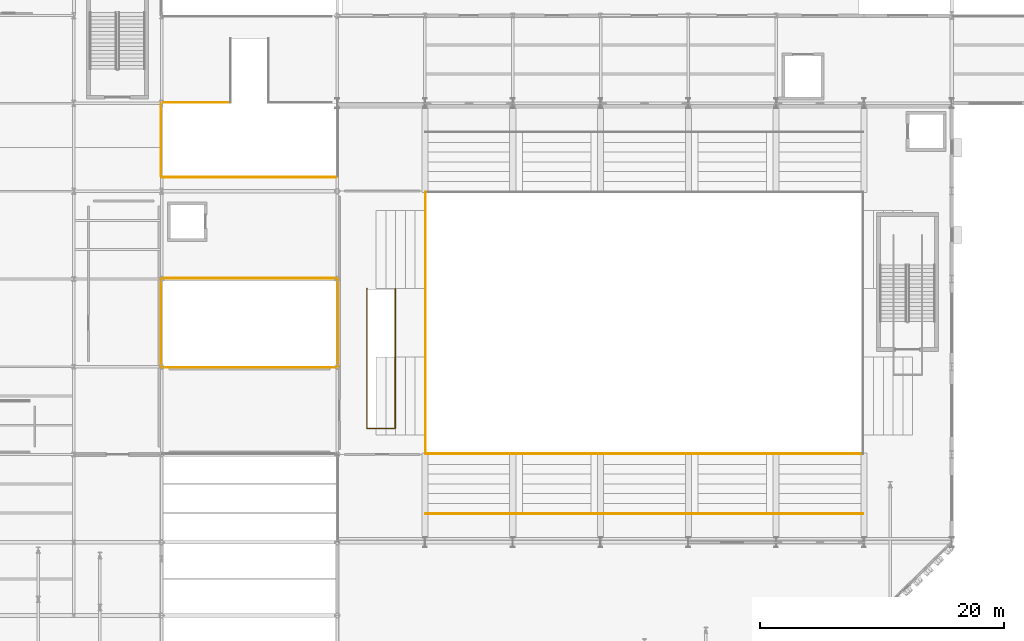
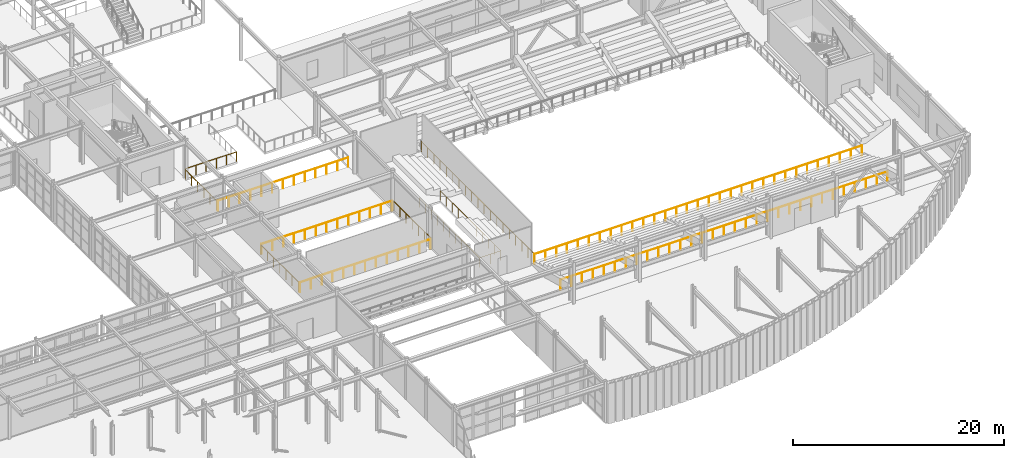
# One storey, part 112 of 121: 11 railings.
"""IFC4 building model written with IfcOpenShell, lengths in metres."""

import ifcopenshell
import ifcopenshell.guid

model = None  # the IFC model being written
_history = None  # IfcOwnerHistory: only IFC2X3 demands one
_inside = {}  # id of a spatial element -> (the spatial element, [elements in it])
_under = {}  # id of a project, library or spatial element -> (it, [spatial elements below it])
_declared = {}  # id of a project -> (the project, [libraries it declares])
_typed = {}  # id of a type object -> (the type object, [elements of that type])
_made_of = {}  # id of a material, layer set ... -> (it, [elements and type objects made of it])


def new_model(schema):
    """Start an empty IFC model of exactly this schema.

    Asked for "IFC4X3", IfcOpenShell would pick the latest addendum, in which some entities
    have other attributes; the version numbers below select the first issue.
    IFC2X3 requires an IfcOwnerHistory on every rooted entity: one is made here for all.
    """
    global model, _history
    if schema == "IFC4X3":
        model = ifcopenshell.file(schema_version=(4, 3, 0, 0))
    else:
        model = ifcopenshell.file(schema=schema)
    _inside.clear()
    _under.clear()
    _declared.clear()
    _typed.clear()
    _made_of.clear()
    _history = None
    if model.schema == "IFC2X3":
        org = make("IfcOrganization", Name="unknown")
        user = make(
            "IfcPersonAndOrganization",
            ThePerson=make("IfcPerson", FamilyName="unknown"),
            TheOrganization=org,
        )
        app = make(
            "IfcApplication",
            ApplicationDeveloper=org,
            Version="unknown",
            ApplicationFullName="unknown",
            ApplicationIdentifier="unknown",
        )
        _history = make(
            "IfcOwnerHistory",
            OwningUser=user,
            OwningApplication=app,
            ChangeAction="ADDED",
            CreationDate=0,
        )
    return model


def make(cls, **values):
    """One entity of the class cls with the attributes given. An attribute that is None is left unset."""
    return model.create_entity(
        cls, **{name: value for name, value in values.items() if value is not None}
    )


def rooted(cls, **values):
    """An entity with a GlobalId (a new one), such as an element, a storey or a relation."""
    return make(cls, GlobalId=ifcopenshell.guid.new(), OwnerHistory=_history, **values)


def si_unit(unit_type, name, prefix=None):
    """IfcSIUnit, for example si_unit("LENGTHUNIT", "METRE", prefix="MILLI")."""
    return make("IfcSIUnit", UnitType=unit_type, Prefix=prefix, Name=name)


def assignment(units):
    """IfcUnitAssignment: the units of a project."""
    return None if units is None else make("IfcUnitAssignment", Units=units)


def point(xyz):
    """IfcCartesianPoint."""
    return None if xyz is None else make("IfcCartesianPoint", Coordinates=xyz)


def direction(xyz):
    """IfcDirection."""
    return None if xyz is None else make("IfcDirection", DirectionRatios=xyz)


def frame(location, z_axis=None, x_axis=None):
    """IfcAxis2Placement3D, a coordinate frame: its origin and axes. An axis left out is left unset."""
    return make(
        "IfcAxis2Placement3D",
        Location=point(location),
        Axis=direction(z_axis),
        RefDirection=direction(x_axis),
    )


def frame_2d(location, x_axis=None):
    """IfcAxis2Placement2D, a coordinate frame in the plane: its origin and x axis."""
    return make(
        "IfcAxis2Placement2D", Location=point(location), RefDirection=direction(x_axis)
    )


def origin():
    """The frame at (0, 0, 0) with its axes left unset."""
    return frame((0.0, 0.0, 0.0))


def origin_2d():
    """The frame at (0, 0) in the plane with its x axis left unset."""
    return frame_2d((0.0, 0.0))


def place(relative_to, where):
    """IfcLocalPlacement: puts the frame where relative to a parent placement (None: the world)."""
    return make(
        "IfcLocalPlacement", PlacementRelTo=relative_to, RelativePlacement=where
    )


def context(
    kind, dimensions, precision=None, world=None, true_north=None, identifier=None
):
    """IfcGeometricRepresentationContext, for example the 3D "Model" context."""
    return make(
        "IfcGeometricRepresentationContext",
        ContextIdentifier=identifier,
        ContextType=kind,
        CoordinateSpaceDimension=dimensions,
        Precision=precision,
        WorldCoordinateSystem=world,
        TrueNorth=true_north,
    )


def subcontext(parent, identifier, kind, view, scale=None):
    """IfcGeometricRepresentationSubContext, for example "Body" below "Model"."""
    return make(
        "IfcGeometricRepresentationSubContext",
        ContextIdentifier=identifier,
        ContextType=kind,
        ParentContext=parent,
        TargetScale=scale,
        TargetView=view,
    )


def project(units=None, contexts=None):
    """IfcProject with its units and contexts."""
    return rooted(
        "IfcProject",
        Name="project",
        RepresentationContexts=contexts,
        UnitsInContext=assignment(units),
    )


def spatial(cls, under=None, at=None, **own):
    """A site, building, storey or space (cls), placed at a placement, below another one or the project."""
    s = rooted(cls, ObjectPlacement=at, **own)
    if under is not None:
        _under.setdefault(under.id(), (under, []))[1].append(s)
    return s


def profile(cls, at=None, kind="AREA", **sizes):
    """A parametric profile (cls). Its sizes go by their IFC names, for example OverallWidth=200.0."""
    return make(cls, ProfileType=kind, Position=at, **sizes)


def circle(**sizes):
    """IfcCircleProfileDef."""
    return profile("IfcCircleProfileDef", **sizes)


def extrude(swept, where, along, depth):
    """IfcExtrudedAreaSolid: the profile swept, set in the frame where, extruded along a direction by depth."""
    return make(
        "IfcExtrudedAreaSolid",
        SweptArea=swept,
        Position=where,
        ExtrudedDirection=direction(along),
        Depth=depth,
    )


def shape(context_of_items, identifier, shape_type, items):
    """IfcShapeRepresentation: the items that make up one representation, for example the "Body"."""
    return make(
        "IfcShapeRepresentation",
        ContextOfItems=context_of_items,
        RepresentationIdentifier=identifier,
        RepresentationType=shape_type,
        Items=items,
    )


def material(Name=None, Category=None):
    """IfcMaterial."""
    return make("IfcMaterial", Name=Name, Category=Category)


def made_of(thing, what):
    """Note that an element or type object is made of a material, layer set ...; save() writes the relation."""
    if what is not None:
        _made_of.setdefault(what.id(), (what, []))[1].append(thing)
    return thing


def type_object(cls, material=None, **own):
    """A type object (cls), such as IfcWallType, which elements share."""
    return made_of(rooted(cls, **own), material)


def element(
    cls,
    number,
    at=None,
    inside=None,
    cuts=None,
    type_object=None,
    material=None,
    context=None,
    identifier="Body",
    shape_type=None,
    held_by="IfcProductDefinitionShape",
    body=None,
    shapes=None,
    **own,
):
    """One element of the class cls, such as IfcWall. Its Tag is "e" and its number.

    at: its placement. inside: the storey or other place that contains it. cuts: it is an
    opening in that element (IfcRelVoidsElement). A single representation is given by context,
    identifier, shape_type and body (its items); several are given by shapes. held_by: the class
    of the entity that holds the representations. save() writes the other relations.
    """
    e = rooted(cls, Tag="e%d" % number, ObjectPlacement=at, **own)
    if body is not None:
        shapes = [shape(context, identifier, shape_type, body)]
    if shapes is not None:
        e.Representation = make(held_by, Representations=shapes)
    if inside is not None:
        _inside.setdefault(inside.id(), (inside, []))[1].append(e)
    if cuts is not None:
        rooted(
            "IfcRelVoidsElement", RelatingBuildingElement=cuts, RelatedOpeningElement=e
        )
    if type_object is not None:
        _typed.setdefault(type_object.id(), (type_object, []))[1].append(e)
    return made_of(e, material)


def aggregate(whole, parts):
    """IfcRelAggregates: a whole, such as a stair, and the parts it consists of."""
    return rooted("IfcRelAggregates", RelatingObject=whole, RelatedObjects=parts)


def save(model, path):
    """Write the relations noted so far, then the file.

    IfcRelAggregates (storeys below a building ...), IfcRelContainedInSpatialStructure (elements
    in a storey), IfcRelDefinesByType, IfcRelAssociatesMaterial and IfcRelDeclares: one each for
    every whole, place, type object, material and project.
    """
    for whole, parts in _under.values():
        aggregate(whole, parts)
    for where, things in _inside.values():
        rooted(
            "IfcRelContainedInSpatialStructure",
            RelatedElements=things,
            RelatingStructure=where,
        )
    for kind, things in _typed.values():
        rooted("IfcRelDefinesByType", RelatedObjects=things, RelatingType=kind)
    for what, things in _made_of.values():
        rooted("IfcRelAssociatesMaterial", RelatedObjects=things, RelatingMaterial=what)
    for by, libraries in _declared.values():
        rooted("IfcRelDeclares", RelatingContext=by, RelatedDefinitions=libraries)
    model.write(path)


model = new_model("IFC4")

# Units and contexts
model_context = context("Model", 3, precision=1e-05, world=origin(), true_north=direction((0.0, 1.0)))
body_context = subcontext(model_context, "Body", "Model", "MODEL_VIEW")
ifc_project = project(units=[si_unit("LENGTHUNIT", "METRE"), si_unit("AREAUNIT", "SQUARE_METRE"), si_unit("VOLUMEUNIT", "CUBIC_METRE"), si_unit("PLANEANGLEUNIT", "RADIAN"), si_unit("MASSUNIT", "GRAM", prefix="KILO")], contexts=[model_context])

# Site, building, storey
site_placement = place(None, origin())
site = spatial("IfcSite", under=ifc_project, at=site_placement, CompositionType="ELEMENT")
building_placement = place(site_placement, origin())
building = spatial("IfcBuilding", under=site, at=building_placement, Name="Solvadek Multi-Sports Hall", CompositionType="ELEMENT")
storey_placement = place(building_placement, frame((0.0, 0.0, 4.800048828125)))
storey = spatial("IfcBuildingStorey", under=building, at=storey_placement, Name="L01", CompositionType="ELEMENT", Elevation=4.800048828125)

# Railings
ifc_material = material(Name="Steel E250 (250 MPa)", Category="steel")
railing_type = type_object("IfcRailingType", Name="INT-RAL-GRD115", PredefinedType="BALUSTRADE", material=ifc_material)
railing_1_placement = place(storey_placement, frame((71.93994140625, 20.4599609375, 0.0)))
element("IfcRailing", 1, at=railing_1_placement, inside=storey, type_object=railing_type, Name="L01 Void Edge Balustrade Guard #9", PredefinedType="BALUSTRADE", context=body_context, shape_type="SweptSolid", body=[
    extrude(circle(Radius=0.02392578125, at=origin_2d()), frame((0.0, 0.0, 1.1259765625), z_axis=(0.0, 1.0, 0.0), x_axis=(-1.0, 0.0, 0.0)), (0.0, 0.0, 1.0), 7.080078125),
    extrude(circle(Radius=0.02099609375, at=origin_2d()), origin(), (0.0, 0.0, 1.0), 1.101806640625),
    extrude(circle(Radius=0.02099609375, at=origin_2d()), frame((0.0, 1.179931640625, 0.0)), (0.0, 0.0, 1.0), 1.101806640625),
    extrude(circle(Radius=0.02099609375, at=origin_2d()), frame((0.0, 2.360107421875, 0.0)), (0.0, 0.0, 1.0), 1.101806640625),
    extrude(circle(Radius=0.02099609375, at=origin_2d()), frame((0.0, 3.5400390625, 0.0)), (0.0, 0.0, 1.0), 1.101806640625),
    extrude(circle(Radius=0.02099609375, at=origin_2d()), frame((0.0, 4.719970703125, 0.0)), (0.0, 0.0, 1.0), 1.101806640625),
    extrude(circle(Radius=0.02099609375, at=origin_2d()), frame((0.0, 5.900146484375, 0.0)), (0.0, 0.0, 1.0), 1.101806640625),
    extrude(circle(Radius=0.02099609375, at=origin_2d()), frame((0.0, 7.080078125, 0.0)), (0.0, 0.0, 1.0), 1.101806640625),
])
railing_2_placement = place(storey_placement, frame((71.93994140625, 36.06005859375, 0.0)))
element("IfcRailing", 2, at=railing_2_placement, inside=storey, type_object=railing_type, Name="L01 Void Edge Balustrade Guard #10", PredefinedType="BALUSTRADE", context=body_context, shape_type="SweptSolid", body=[
    extrude(circle(Radius=0.02392578125, at=origin_2d()), frame((0.0, 0.0, 1.1259765625), z_axis=(0.0, 1.0, 0.0), x_axis=(-1.0, 0.0, 0.0)), (0.0, 0.0, 1.0), 5.8798828125),
    extrude(circle(Radius=0.02099609375, at=origin_2d()), origin(), (0.0, 0.0, 1.0), 1.101806640625),
    extrude(circle(Radius=0.02099609375, at=origin_2d()), frame((0.0, 1.176025390625, 0.0)), (0.0, 0.0, 1.0), 1.101806640625),
    extrude(circle(Radius=0.02099609375, at=origin_2d()), frame((0.0, 2.35205078125, 0.0)), (0.0, 0.0, 1.0), 1.101806640625),
    extrude(circle(Radius=0.02099609375, at=origin_2d()), frame((0.0, 3.52783203125, 0.0)), (0.0, 0.0, 1.0), 1.101806640625),
    extrude(circle(Radius=0.02099609375, at=origin_2d()), frame((0.0, 4.703857421875, 0.0)), (0.0, 0.0, 1.0), 1.101806640625),
    extrude(circle(Radius=0.02099609375, at=origin_2d()), frame((0.0, 5.8798828125, 0.0)), (0.0, 0.0, 1.0), 1.101806640625),
])
railing_3_placement = place(storey_placement, frame((86.4599609375, 20.4599609375, 0.0)))
element("IfcRailing", 3, at=railing_3_placement, inside=storey, type_object=railing_type, Name="L01 Void Edge Balustrade Guard #15", PredefinedType="BALUSTRADE", context=body_context, shape_type="SweptSolid", body=[
    extrude(circle(Radius=0.02392578125, at=origin_2d()), frame((0.0, 0.0, 1.1259765625), z_axis=(0.0, 1.0, 0.0), x_axis=(-1.0, 0.0, 0.0)), (0.0, 0.0, 1.0), 7.080078125),
    extrude(circle(Radius=0.02099609375, at=origin_2d()), origin(), (0.0, 0.0, 1.0), 1.101806640625),
    extrude(circle(Radius=0.02099609375, at=origin_2d()), frame((0.0, 1.179931640625, 0.0)), (0.0, 0.0, 1.0), 1.101806640625),
    extrude(circle(Radius=0.02099609375, at=origin_2d()), frame((0.0, 2.360107421875, 0.0)), (0.0, 0.0, 1.0), 1.101806640625),
    extrude(circle(Radius=0.02099609375, at=origin_2d()), frame((0.0, 3.5400390625, 0.0)), (0.0, 0.0, 1.0), 1.101806640625),
    extrude(circle(Radius=0.02099609375, at=origin_2d()), frame((0.0, 4.719970703125, 0.0)), (0.0, 0.0, 1.0), 1.101806640625),
    extrude(circle(Radius=0.02099609375, at=origin_2d()), frame((0.0, 5.900146484375, 0.0)), (0.0, 0.0, 1.0), 1.101806640625),
    extrude(circle(Radius=0.02099609375, at=origin_2d()), frame((0.0, 7.080078125, 0.0)), (0.0, 0.0, 1.0), 1.101806640625),
])
railing_4_placement = place(storey_placement, frame((88.840087890625, 26.800048828125, 0.0)))
element("IfcRailing", 4, at=railing_4_placement, inside=storey, type_object=railing_type, Name="L01 Void Edge Balustrade Guard #27", PredefinedType="BALUSTRADE", context=body_context, shape_type="SweptSolid", body=[
    extrude(circle(Radius=0.02392578125, at=origin_2d()), frame((0.0, 0.0, 1.1259765625), z_axis=(0.0, -1.0, 0.0), x_axis=(1.0, 0.0, 0.0)), (0.0, 0.0, 1.0), 11.4599609375),
    extrude(circle(Radius=0.02392578125, at=origin_2d()), frame((0.0, -11.4599609375, 1.1259765625), z_axis=(1.0, 0.0, 0.0), x_axis=(0.0, 1.0, 0.0)), (0.0, 0.0, 1.0), 2.31982421875),
    extrude(circle(Radius=0.02392578125, at=origin_2d()), frame((2.31982421875, -11.4599609375, 1.1259765625), z_axis=(0.0, 1.0, 0.0), x_axis=(-1.0, 0.0, 0.0)), (0.0, 0.0, 1.0), 11.4599609375),
    extrude(circle(Radius=0.02099609375, at=origin_2d()), origin(), (0.0, 0.0, 1.0), 1.101806640625),
    extrude(circle(Radius=0.02099609375, at=origin_2d()), frame((0.0, -1.14599609375, 0.0)), (0.0, 0.0, 1.0), 1.101806640625),
    extrude(circle(Radius=0.02099609375, at=origin_2d()), frame((0.0, -2.2919921875, 0.0)), (0.0, 0.0, 1.0), 1.101806640625),
    extrude(circle(Radius=0.02099609375, at=origin_2d()), frame((0.0, -3.43798828125, 0.0)), (0.0, 0.0, 1.0), 1.101806640625),
    extrude(circle(Radius=0.02099609375, at=origin_2d()), frame((0.0, -4.583984375, 0.0)), (0.0, 0.0, 1.0), 1.101806640625),
    extrude(circle(Radius=0.02099609375, at=origin_2d()), frame((0.0, -5.72998046875, 0.0)), (0.0, 0.0, 1.0), 1.101806640625),
    extrude(circle(Radius=0.02099609375, at=origin_2d()), frame((0.0, -6.8759765625, 0.0)), (0.0, 0.0, 1.0), 1.101806640625),
    extrude(circle(Radius=0.02099609375, at=origin_2d()), frame((0.0, -8.02197265625, 0.0)), (0.0, 0.0, 1.0), 1.101806640625),
    extrude(circle(Radius=0.02099609375, at=origin_2d()), frame((0.0, -9.16796875, 0.0)), (0.0, 0.0, 1.0), 1.101806640625),
    extrude(circle(Radius=0.02099609375, at=origin_2d()), frame((0.0, -10.31396484375, 0.0)), (0.0, 0.0, 1.0), 1.101806640625),
    extrude(circle(Radius=0.02099609375, at=origin_2d()), frame((0.0, -11.4599609375, 0.0)), (0.0, 0.0, 1.0), 1.101806640625),
    extrude(circle(Radius=0.02099609375, at=origin_2d()), frame((1.159912109375, -11.4599609375, 0.0)), (0.0, 0.0, 1.0), 1.101806640625),
    extrude(circle(Radius=0.02099609375, at=origin_2d()), frame((2.31982421875, -11.4599609375, 0.0)), (0.0, 0.0, 1.0), 1.101806640625),
    extrude(circle(Radius=0.02099609375, at=origin_2d()), frame((2.31982421875, -10.31396484375, 0.0)), (0.0, 0.0, 1.0), 1.101806640625),
    extrude(circle(Radius=0.02099609375, at=origin_2d()), frame((2.31982421875, -9.16796875, 0.0)), (0.0, 0.0, 1.0), 1.101806640625),
    extrude(circle(Radius=0.02099609375, at=origin_2d()), frame((2.31982421875, -8.02197265625, 0.0)), (0.0, 0.0, 1.0), 1.101806640625),
    extrude(circle(Radius=0.02099609375, at=origin_2d()), frame((2.31982421875, -6.8759765625, 0.0)), (0.0, 0.0, 1.0), 1.101806640625),
    extrude(circle(Radius=0.02099609375, at=origin_2d()), frame((2.31982421875, -5.72998046875, 0.0)), (0.0, 0.0, 1.0), 1.101806640625),
    extrude(circle(Radius=0.02099609375, at=origin_2d()), frame((2.31982421875, -4.583984375, 0.0)), (0.0, 0.0, 1.0), 1.101806640625),
    extrude(circle(Radius=0.02099609375, at=origin_2d()), frame((2.31982421875, -3.43798828125, 0.0)), (0.0, 0.0, 1.0), 1.101806640625),
    extrude(circle(Radius=0.02099609375, at=origin_2d()), frame((2.31982421875, -2.2919921875, 0.0)), (0.0, 0.0, 1.0), 1.101806640625),
    extrude(circle(Radius=0.02099609375, at=origin_2d()), frame((2.31982421875, -1.14599609375, 0.0)), (0.0, 0.0, 1.0), 1.101806640625),
    extrude(circle(Radius=0.02099609375, at=origin_2d()), frame((2.31982421875, 0.0, 0.0)), (0.0, 0.0, 1.0), 1.101806640625),
])
railing_5_placement = place(storey_placement, frame((93.659912109375, 13.260009765625, 0.0)))
element("IfcRailing", 5, at=railing_5_placement, inside=storey, type_object=railing_type, Name="L01 Void Edge Balustrade Guard #39", PredefinedType="BALUSTRADE", context=body_context, shape_type="SweptSolid", body=[
    extrude(circle(Radius=0.02392578125, at=origin_2d()), frame((0.0, 0.0, 1.1259765625), z_axis=(1.0, 0.0, 0.0), x_axis=(0.0, 1.0, 0.0)), (0.0, 0.0, 1.0), 35.880126953125),
    extrude(circle(Radius=0.02099609375, at=origin_2d()), origin(), (0.0, 0.0, 1.0), 1.101806640625),
    extrude(circle(Radius=0.02099609375, at=origin_2d()), frame((1.196044921875, 0.0, 0.0)), (0.0, 0.0, 1.0), 1.101806640625),
    extrude(circle(Radius=0.02099609375, at=origin_2d()), frame((2.39208984375, 0.0, 0.0)), (0.0, 0.0, 1.0), 1.101806640625),
    extrude(circle(Radius=0.02099609375, at=origin_2d()), frame((3.587890625, 0.0, 0.0)), (0.0, 0.0, 1.0), 1.101806640625),
    extrude(circle(Radius=0.02099609375, at=origin_2d()), frame((4.783935546875, 0.0, 0.0)), (0.0, 0.0, 1.0), 1.101806640625),
    extrude(circle(Radius=0.02099609375, at=origin_2d()), frame((5.97998046875, 0.0, 0.0)), (0.0, 0.0, 1.0), 1.101806640625),
    extrude(circle(Radius=0.02099609375, at=origin_2d()), frame((7.176025390625, 0.0, 0.0)), (0.0, 0.0, 1.0), 1.101806640625),
    extrude(circle(Radius=0.02099609375, at=origin_2d()), frame((8.3720703125, 0.0, 0.0)), (0.0, 0.0, 1.0), 1.101806640625),
    extrude(circle(Radius=0.02099609375, at=origin_2d()), frame((9.568115234375, 0.0, 0.0)), (0.0, 0.0, 1.0), 1.101806640625),
    extrude(circle(Radius=0.02099609375, at=origin_2d()), frame((10.76416015625, 0.0, 0.0)), (0.0, 0.0, 1.0), 1.101806640625),
    extrude(circle(Radius=0.02099609375, at=origin_2d()), frame((11.9599609375, 0.0, 0.0)), (0.0, 0.0, 1.0), 1.101806640625),
    extrude(circle(Radius=0.02099609375, at=origin_2d()), frame((13.156005859375, 0.0, 0.0)), (0.0, 0.0, 1.0), 1.101806640625),
    extrude(circle(Radius=0.02099609375, at=origin_2d()), frame((14.35205078125, 0.0, 0.0)), (0.0, 0.0, 1.0), 1.101806640625),
    extrude(circle(Radius=0.02099609375, at=origin_2d()), frame((15.548095703125, 0.0, 0.0)), (0.0, 0.0, 1.0), 1.101806640625),
    extrude(circle(Radius=0.02099609375, at=origin_2d()), frame((16.744140625, 0.0, 0.0)), (0.0, 0.0, 1.0), 1.101806640625),
    extrude(circle(Radius=0.02099609375, at=origin_2d()), frame((17.93994140625, 0.0, 0.0)), (0.0, 0.0, 1.0), 1.101806640625),
    extrude(circle(Radius=0.02099609375, at=origin_2d()), frame((19.135986328125, 0.0, 0.0)), (0.0, 0.0, 1.0), 1.101806640625),
    extrude(circle(Radius=0.02099609375, at=origin_2d()), frame((20.33203125, 0.0, 0.0)), (0.0, 0.0, 1.0), 1.101806640625),
    extrude(circle(Radius=0.02099609375, at=origin_2d()), frame((21.528076171875, 0.0, 0.0)), (0.0, 0.0, 1.0), 1.101806640625),
    extrude(circle(Radius=0.02099609375, at=origin_2d()), frame((22.72412109375, 0.0, 0.0)), (0.0, 0.0, 1.0), 1.101806640625),
    extrude(circle(Radius=0.02099609375, at=origin_2d()), frame((23.920166015625, 0.0, 0.0)), (0.0, 0.0, 1.0), 1.101806640625),
    extrude(circle(Radius=0.02099609375, at=origin_2d()), frame((25.1162109375, 0.0, 0.0)), (0.0, 0.0, 1.0), 1.101806640625),
    extrude(circle(Radius=0.02099609375, at=origin_2d()), frame((26.31201171875, 0.0, 0.0)), (0.0, 0.0, 1.0), 1.101806640625),
    extrude(circle(Radius=0.02099609375, at=origin_2d()), frame((27.508056640625, 0.0, 0.0)), (0.0, 0.0, 1.0), 1.101806640625),
    extrude(circle(Radius=0.02099609375, at=origin_2d()), frame((28.7041015625, 0.0, 0.0)), (0.0, 0.0, 1.0), 1.101806640625),
    extrude(circle(Radius=0.02099609375, at=origin_2d()), frame((29.900146484375, 0.0, 0.0)), (0.0, 0.0, 1.0), 1.101806640625),
    extrude(circle(Radius=0.02099609375, at=origin_2d()), frame((31.09619140625, 0.0, 0.0)), (0.0, 0.0, 1.0), 1.101806640625),
    extrude(circle(Radius=0.02099609375, at=origin_2d()), frame((32.2919921875, 0.0, 0.0)), (0.0, 0.0, 1.0), 1.101806640625),
    extrude(circle(Radius=0.02099609375, at=origin_2d()), frame((33.488037109375, 0.0, 0.0)), (0.0, 0.0, 1.0), 1.101806640625),
    extrude(circle(Radius=0.02099609375, at=origin_2d()), frame((34.68408203125, 0.0, 0.0)), (0.0, 0.0, 1.0), 1.101806640625),
    extrude(circle(Radius=0.02099609375, at=origin_2d()), frame((35.880126953125, 0.0, 0.0)), (0.0, 0.0, 1.0), 1.101806640625),
])
railing_6_placement = place(storey_placement, frame((93.659912109375, 13.260009765625, 0.0)))
element("IfcRailing", 6, at=railing_6_placement, inside=storey, type_object=railing_type, Name="L01 Void Edge Balustrade Guard #41", PredefinedType="BALUSTRADE", context=body_context, shape_type="SweptSolid", body=[
    extrude(circle(Radius=0.02392578125, at=origin_2d()), frame((0.0, 0.0, 1.1259765625), z_axis=(0.0, 1.0, 0.0), x_axis=(-1.0, 0.0, 0.0)), (0.0, 0.0, 1.0), 21.47998046875),
    extrude(circle(Radius=0.02099609375, at=origin_2d()), origin(), (0.0, 0.0, 1.0), 1.101806640625),
    extrude(circle(Radius=0.02099609375, at=origin_2d()), frame((0.0, 1.193359375, 0.0)), (0.0, 0.0, 1.0), 1.101806640625),
    extrude(circle(Radius=0.02099609375, at=origin_2d()), frame((0.0, 2.38671875, 0.0)), (0.0, 0.0, 1.0), 1.101806640625),
    extrude(circle(Radius=0.02099609375, at=origin_2d()), frame((0.0, 3.580078125, 0.0)), (0.0, 0.0, 1.0), 1.101806640625),
    extrude(circle(Radius=0.02099609375, at=origin_2d()), frame((0.0, 4.7734375, 0.0)), (0.0, 0.0, 1.0), 1.101806640625),
    extrude(circle(Radius=0.02099609375, at=origin_2d()), frame((0.0, 5.966552734375, 0.0)), (0.0, 0.0, 1.0), 1.101806640625),
    extrude(circle(Radius=0.02099609375, at=origin_2d()), frame((0.0, 7.159912109375, 0.0)), (0.0, 0.0, 1.0), 1.101806640625),
    extrude(circle(Radius=0.02099609375, at=origin_2d()), frame((0.0, 8.353271484375, 0.0)), (0.0, 0.0, 1.0), 1.101806640625),
    extrude(circle(Radius=0.02099609375, at=origin_2d()), frame((0.0, 9.546630859375, 0.0)), (0.0, 0.0, 1.0), 1.101806640625),
    extrude(circle(Radius=0.02099609375, at=origin_2d()), frame((0.0, 10.739990234375, 0.0)), (0.0, 0.0, 1.0), 1.101806640625),
    extrude(circle(Radius=0.02099609375, at=origin_2d()), frame((0.0, 11.933349609375, 0.0)), (0.0, 0.0, 1.0), 1.101806640625),
    extrude(circle(Radius=0.02099609375, at=origin_2d()), frame((0.0, 13.126708984375, 0.0)), (0.0, 0.0, 1.0), 1.101806640625),
    extrude(circle(Radius=0.02099609375, at=origin_2d()), frame((0.0, 14.320068359375, 0.0)), (0.0, 0.0, 1.0), 1.101806640625),
    extrude(circle(Radius=0.02099609375, at=origin_2d()), frame((0.0, 15.513427734375, 0.0)), (0.0, 0.0, 1.0), 1.101806640625),
    extrude(circle(Radius=0.02099609375, at=origin_2d()), frame((0.0, 16.70654296875, 0.0)), (0.0, 0.0, 1.0), 1.101806640625),
    extrude(circle(Radius=0.02099609375, at=origin_2d()), frame((0.0, 17.89990234375, 0.0)), (0.0, 0.0, 1.0), 1.101806640625),
    extrude(circle(Radius=0.02099609375, at=origin_2d()), frame((0.0, 19.09326171875, 0.0)), (0.0, 0.0, 1.0), 1.101806640625),
    extrude(circle(Radius=0.02099609375, at=origin_2d()), frame((0.0, 20.28662109375, 0.0)), (0.0, 0.0, 1.0), 1.101806640625),
    extrude(circle(Radius=0.02099609375, at=origin_2d()), frame((0.0, 21.47998046875, 0.0)), (0.0, 0.0, 1.0), 1.101806640625),
])
railing_7_placement = place(storey_placement, frame((93.659912109375, 8.340087890625, 0.0)))
element("IfcRailing", 7, at=railing_7_placement, inside=storey, type_object=railing_type, Name="L01 Void Edge Balustrade Guard #43", PredefinedType="BALUSTRADE", context=body_context, shape_type="SweptSolid", body=[
    extrude(circle(Radius=0.02392578125, at=origin_2d()), frame((0.0, 0.0, 1.1259765625), z_axis=(1.0, 0.0, 0.0), x_axis=(0.0, 1.0, 0.0)), (0.0, 0.0, 1.0), 35.880126953125),
    extrude(circle(Radius=0.02099609375, at=origin_2d()), origin(), (0.0, 0.0, 1.0), 1.101806640625),
    extrude(circle(Radius=0.02099609375, at=origin_2d()), frame((1.196044921875, 0.0, 0.0)), (0.0, 0.0, 1.0), 1.101806640625),
    extrude(circle(Radius=0.02099609375, at=origin_2d()), frame((2.39208984375, 0.0, 0.0)), (0.0, 0.0, 1.0), 1.101806640625),
    extrude(circle(Radius=0.02099609375, at=origin_2d()), frame((3.587890625, 0.0, 0.0)), (0.0, 0.0, 1.0), 1.101806640625),
    extrude(circle(Radius=0.02099609375, at=origin_2d()), frame((4.783935546875, 0.0, 0.0)), (0.0, 0.0, 1.0), 1.101806640625),
    extrude(circle(Radius=0.02099609375, at=origin_2d()), frame((5.97998046875, 0.0, 0.0)), (0.0, 0.0, 1.0), 1.101806640625),
    extrude(circle(Radius=0.02099609375, at=origin_2d()), frame((7.176025390625, 0.0, 0.0)), (0.0, 0.0, 1.0), 1.101806640625),
    extrude(circle(Radius=0.02099609375, at=origin_2d()), frame((8.3720703125, 0.0, 0.0)), (0.0, 0.0, 1.0), 1.101806640625),
    extrude(circle(Radius=0.02099609375, at=origin_2d()), frame((9.568115234375, 0.0, 0.0)), (0.0, 0.0, 1.0), 1.101806640625),
    extrude(circle(Radius=0.02099609375, at=origin_2d()), frame((10.76416015625, 0.0, 0.0)), (0.0, 0.0, 1.0), 1.101806640625),
    extrude(circle(Radius=0.02099609375, at=origin_2d()), frame((11.9599609375, 0.0, 0.0)), (0.0, 0.0, 1.0), 1.101806640625),
    extrude(circle(Radius=0.02099609375, at=origin_2d()), frame((13.156005859375, 0.0, 0.0)), (0.0, 0.0, 1.0), 1.101806640625),
    extrude(circle(Radius=0.02099609375, at=origin_2d()), frame((14.35205078125, 0.0, 0.0)), (0.0, 0.0, 1.0), 1.101806640625),
    extrude(circle(Radius=0.02099609375, at=origin_2d()), frame((15.548095703125, 0.0, 0.0)), (0.0, 0.0, 1.0), 1.101806640625),
    extrude(circle(Radius=0.02099609375, at=origin_2d()), frame((16.744140625, 0.0, 0.0)), (0.0, 0.0, 1.0), 1.101806640625),
    extrude(circle(Radius=0.02099609375, at=origin_2d()), frame((17.93994140625, 0.0, 0.0)), (0.0, 0.0, 1.0), 1.101806640625),
    extrude(circle(Radius=0.02099609375, at=origin_2d()), frame((19.135986328125, 0.0, 0.0)), (0.0, 0.0, 1.0), 1.101806640625),
    extrude(circle(Radius=0.02099609375, at=origin_2d()), frame((20.33203125, 0.0, 0.0)), (0.0, 0.0, 1.0), 1.101806640625),
    extrude(circle(Radius=0.02099609375, at=origin_2d()), frame((21.528076171875, 0.0, 0.0)), (0.0, 0.0, 1.0), 1.101806640625),
    extrude(circle(Radius=0.02099609375, at=origin_2d()), frame((22.72412109375, 0.0, 0.0)), (0.0, 0.0, 1.0), 1.101806640625),
    extrude(circle(Radius=0.02099609375, at=origin_2d()), frame((23.920166015625, 0.0, 0.0)), (0.0, 0.0, 1.0), 1.101806640625),
    extrude(circle(Radius=0.02099609375, at=origin_2d()), frame((25.1162109375, 0.0, 0.0)), (0.0, 0.0, 1.0), 1.101806640625),
    extrude(circle(Radius=0.02099609375, at=origin_2d()), frame((26.31201171875, 0.0, 0.0)), (0.0, 0.0, 1.0), 1.101806640625),
    extrude(circle(Radius=0.02099609375, at=origin_2d()), frame((27.508056640625, 0.0, 0.0)), (0.0, 0.0, 1.0), 1.101806640625),
    extrude(circle(Radius=0.02099609375, at=origin_2d()), frame((28.7041015625, 0.0, 0.0)), (0.0, 0.0, 1.0), 1.101806640625),
    extrude(circle(Radius=0.02099609375, at=origin_2d()), frame((29.900146484375, 0.0, 0.0)), (0.0, 0.0, 1.0), 1.101806640625),
    extrude(circle(Radius=0.02099609375, at=origin_2d()), frame((31.09619140625, 0.0, 0.0)), (0.0, 0.0, 1.0), 1.101806640625),
    extrude(circle(Radius=0.02099609375, at=origin_2d()), frame((32.2919921875, 0.0, 0.0)), (0.0, 0.0, 1.0), 1.101806640625),
    extrude(circle(Radius=0.02099609375, at=origin_2d()), frame((33.488037109375, 0.0, 0.0)), (0.0, 0.0, 1.0), 1.101806640625),
    extrude(circle(Radius=0.02099609375, at=origin_2d()), frame((34.68408203125, 0.0, 0.0)), (0.0, 0.0, 1.0), 1.101806640625),
    extrude(circle(Radius=0.02099609375, at=origin_2d()), frame((35.880126953125, 0.0, 0.0)), (0.0, 0.0, 1.0), 1.101806640625),
])
railing_8_placement = place(storey_placement, frame((72.06005859375, 20.340087890625, 0.0)))
element("IfcRailing", 8, at=railing_8_placement, inside=storey, type_object=railing_type, Name="L01 Void Edge Balustrade Guard #46", PredefinedType="BALUSTRADE", context=body_context, shape_type="SweptSolid", body=[
    extrude(circle(Radius=0.02392578125, at=origin_2d()), frame((0.0, 0.0, 1.1259765625), z_axis=(1.0, 0.0, 0.0), x_axis=(0.0, 1.0, 0.0)), (0.0, 0.0, 1.0), 14.280029296875),
    extrude(circle(Radius=0.02099609375, at=origin_2d()), origin(), (0.0, 0.0, 1.0), 1.101806640625),
    extrude(circle(Radius=0.02099609375, at=origin_2d()), frame((1.18994140625, 0.0, 0.0)), (0.0, 0.0, 1.0), 1.101806640625),
    extrude(circle(Radius=0.02099609375, at=origin_2d()), frame((2.3798828125, 0.0, 0.0)), (0.0, 0.0, 1.0), 1.101806640625),
    extrude(circle(Radius=0.02099609375, at=origin_2d()), frame((3.570068359375, 0.0, 0.0)), (0.0, 0.0, 1.0), 1.101806640625),
    extrude(circle(Radius=0.02099609375, at=origin_2d()), frame((4.760009765625, 0.0, 0.0)), (0.0, 0.0, 1.0), 1.101806640625),
    extrude(circle(Radius=0.02099609375, at=origin_2d()), frame((5.949951171875, 0.0, 0.0)), (0.0, 0.0, 1.0), 1.101806640625),
    extrude(circle(Radius=0.02099609375, at=origin_2d()), frame((7.14013671875, 0.0, 0.0)), (0.0, 0.0, 1.0), 1.101806640625),
    extrude(circle(Radius=0.02099609375, at=origin_2d()), frame((8.330078125, 0.0, 0.0)), (0.0, 0.0, 1.0), 1.101806640625),
    extrude(circle(Radius=0.02099609375, at=origin_2d()), frame((9.52001953125, 0.0, 0.0)), (0.0, 0.0, 1.0), 1.101806640625),
    extrude(circle(Radius=0.02099609375, at=origin_2d()), frame((10.7099609375, 0.0, 0.0)), (0.0, 0.0, 1.0), 1.101806640625),
    extrude(circle(Radius=0.02099609375, at=origin_2d()), frame((11.89990234375, 0.0, 0.0)), (0.0, 0.0, 1.0), 1.101806640625),
    extrude(circle(Radius=0.02099609375, at=origin_2d()), frame((13.090087890625, 0.0, 0.0)), (0.0, 0.0, 1.0), 1.101806640625),
    extrude(circle(Radius=0.02099609375, at=origin_2d()), frame((14.280029296875, 0.0, 0.0)), (0.0, 0.0, 1.0), 1.101806640625),
])
railing_9_placement = place(storey_placement, frame((72.06005859375, 27.659912109375, 0.0)))
element("IfcRailing", 9, at=railing_9_placement, inside=storey, type_object=railing_type, Name="L01 Void Edge Balustrade Guard #47", PredefinedType="BALUSTRADE", context=body_context, shape_type="SweptSolid", body=[
    extrude(circle(Radius=0.02392578125, at=origin_2d()), frame((0.0, 0.0, 1.1259765625), z_axis=(1.0, 0.0, 0.0), x_axis=(0.0, 1.0, 0.0)), (0.0, 0.0, 1.0), 14.280029296875),
    extrude(circle(Radius=0.02099609375, at=origin_2d()), origin(), (0.0, 0.0, 1.0), 1.101806640625),
    extrude(circle(Radius=0.02099609375, at=origin_2d()), frame((1.18994140625, 0.0, 0.0)), (0.0, 0.0, 1.0), 1.101806640625),
    extrude(circle(Radius=0.02099609375, at=origin_2d()), frame((2.3798828125, 0.0, 0.0)), (0.0, 0.0, 1.0), 1.101806640625),
    extrude(circle(Radius=0.02099609375, at=origin_2d()), frame((3.570068359375, 0.0, 0.0)), (0.0, 0.0, 1.0), 1.101806640625),
    extrude(circle(Radius=0.02099609375, at=origin_2d()), frame((4.760009765625, 0.0, 0.0)), (0.0, 0.0, 1.0), 1.101806640625),
    extrude(circle(Radius=0.02099609375, at=origin_2d()), frame((5.949951171875, 0.0, 0.0)), (0.0, 0.0, 1.0), 1.101806640625),
    extrude(circle(Radius=0.02099609375, at=origin_2d()), frame((7.14013671875, 0.0, 0.0)), (0.0, 0.0, 1.0), 1.101806640625),
    extrude(circle(Radius=0.02099609375, at=origin_2d()), frame((8.330078125, 0.0, 0.0)), (0.0, 0.0, 1.0), 1.101806640625),
    extrude(circle(Radius=0.02099609375, at=origin_2d()), frame((9.52001953125, 0.0, 0.0)), (0.0, 0.0, 1.0), 1.101806640625),
    extrude(circle(Radius=0.02099609375, at=origin_2d()), frame((10.7099609375, 0.0, 0.0)), (0.0, 0.0, 1.0), 1.101806640625),
    extrude(circle(Radius=0.02099609375, at=origin_2d()), frame((11.89990234375, 0.0, 0.0)), (0.0, 0.0, 1.0), 1.101806640625),
    extrude(circle(Radius=0.02099609375, at=origin_2d()), frame((13.090087890625, 0.0, 0.0)), (0.0, 0.0, 1.0), 1.101806640625),
    extrude(circle(Radius=0.02099609375, at=origin_2d()), frame((14.280029296875, 0.0, 0.0)), (0.0, 0.0, 1.0), 1.101806640625),
])
railing_10_placement = place(storey_placement, frame((72.06005859375, 35.93994140625, 0.0)))
element("IfcRailing", 10, at=railing_10_placement, inside=storey, type_object=railing_type, Name="L01 Void Edge Balustrade Guard #48", PredefinedType="BALUSTRADE", context=body_context, shape_type="SweptSolid", body=[
    extrude(circle(Radius=0.02392578125, at=origin_2d()), frame((0.0, 0.0, 1.1259765625), z_axis=(1.0, 0.0, 0.0), x_axis=(0.0, 1.0, 0.0)), (0.0, 0.0, 1.0), 14.280029296875),
    extrude(circle(Radius=0.02099609375, at=origin_2d()), origin(), (0.0, 0.0, 1.0), 1.101806640625),
    extrude(circle(Radius=0.02099609375, at=origin_2d()), frame((1.18994140625, 0.0, 0.0)), (0.0, 0.0, 1.0), 1.101806640625),
    extrude(circle(Radius=0.02099609375, at=origin_2d()), frame((2.3798828125, 0.0, 0.0)), (0.0, 0.0, 1.0), 1.101806640625),
    extrude(circle(Radius=0.02099609375, at=origin_2d()), frame((3.570068359375, 0.0, 0.0)), (0.0, 0.0, 1.0), 1.101806640625),
    extrude(circle(Radius=0.02099609375, at=origin_2d()), frame((4.760009765625, 0.0, 0.0)), (0.0, 0.0, 1.0), 1.101806640625),
    extrude(circle(Radius=0.02099609375, at=origin_2d()), frame((5.949951171875, 0.0, 0.0)), (0.0, 0.0, 1.0), 1.101806640625),
    extrude(circle(Radius=0.02099609375, at=origin_2d()), frame((7.14013671875, 0.0, 0.0)), (0.0, 0.0, 1.0), 1.101806640625),
    extrude(circle(Radius=0.02099609375, at=origin_2d()), frame((8.330078125, 0.0, 0.0)), (0.0, 0.0, 1.0), 1.101806640625),
    extrude(circle(Radius=0.02099609375, at=origin_2d()), frame((9.52001953125, 0.0, 0.0)), (0.0, 0.0, 1.0), 1.101806640625),
    extrude(circle(Radius=0.02099609375, at=origin_2d()), frame((10.7099609375, 0.0, 0.0)), (0.0, 0.0, 1.0), 1.101806640625),
    extrude(circle(Radius=0.02099609375, at=origin_2d()), frame((11.89990234375, 0.0, 0.0)), (0.0, 0.0, 1.0), 1.101806640625),
    extrude(circle(Radius=0.02099609375, at=origin_2d()), frame((13.090087890625, 0.0, 0.0)), (0.0, 0.0, 1.0), 1.101806640625),
    extrude(circle(Radius=0.02099609375, at=origin_2d()), frame((14.280029296875, 0.0, 0.0)), (0.0, 0.0, 1.0), 1.101806640625),
])
railing_11_placement = place(storey_placement, frame((72.06005859375, 42.06005859375, 0.0)))
element("IfcRailing", 11, at=railing_11_placement, inside=storey, type_object=railing_type, Name="L01 Void Edge Balustrade Guard #49", PredefinedType="BALUSTRADE", context=body_context, shape_type="SweptSolid", body=[
    extrude(circle(Radius=0.02392578125, at=origin_2d()), frame((0.0, 0.0, 1.1259765625), z_axis=(1.0, 0.0, 0.0), x_axis=(0.0, 1.0, 0.0)), (0.0, 0.0, 1.0), 5.579833984375),
    extrude(circle(Radius=0.02099609375, at=origin_2d()), origin(), (0.0, 0.0, 1.0), 1.101806640625),
    extrude(circle(Radius=0.02099609375, at=origin_2d()), frame((1.115966796875, 0.0, 0.0)), (0.0, 0.0, 1.0), 1.101806640625),
    extrude(circle(Radius=0.02099609375, at=origin_2d()), frame((2.23193359375, 0.0, 0.0)), (0.0, 0.0, 1.0), 1.101806640625),
    extrude(circle(Radius=0.02099609375, at=origin_2d()), frame((3.347900390625, 0.0, 0.0)), (0.0, 0.0, 1.0), 1.101806640625),
    extrude(circle(Radius=0.02099609375, at=origin_2d()), frame((4.4638671875, 0.0, 0.0)), (0.0, 0.0, 1.0), 1.101806640625),
    extrude(circle(Radius=0.02099609375, at=origin_2d()), frame((5.579833984375, 0.0, 0.0)), (0.0, 0.0, 1.0), 1.101806640625),
])

save(model, "model.ifc")
